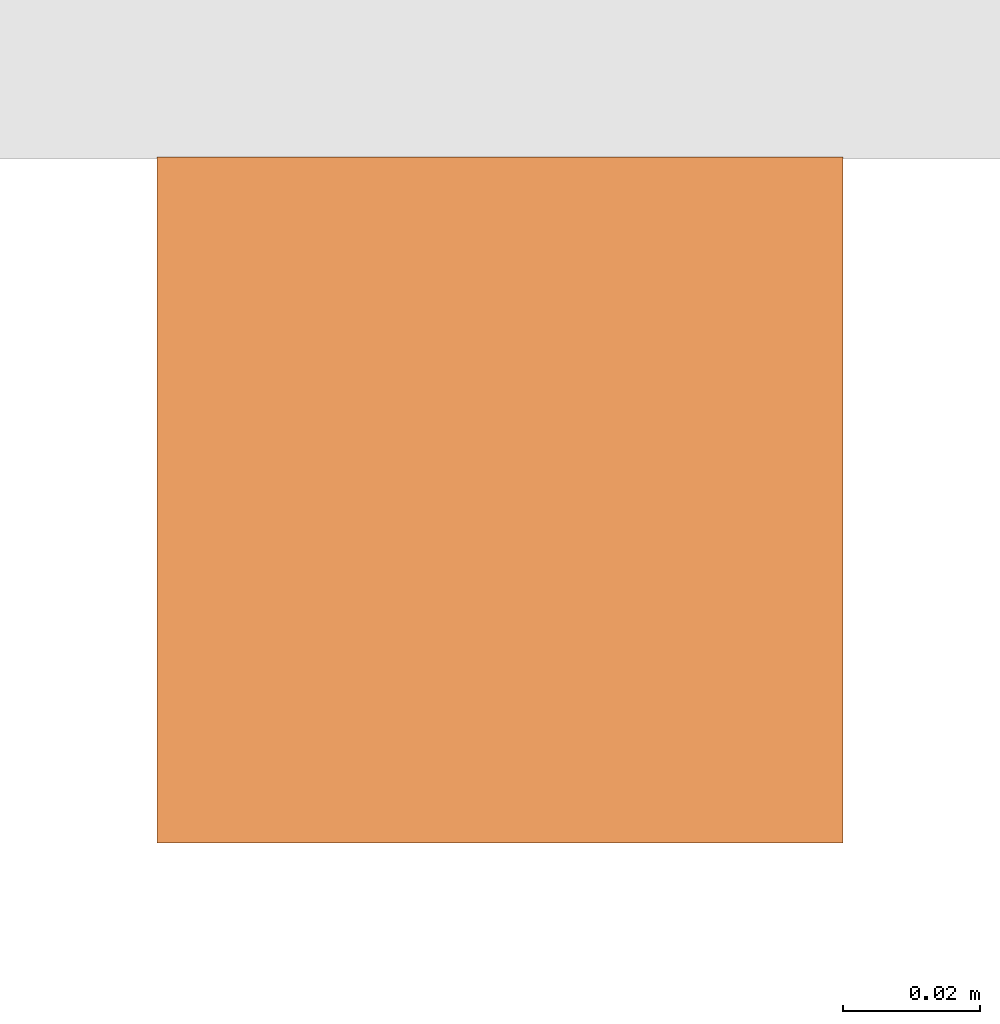
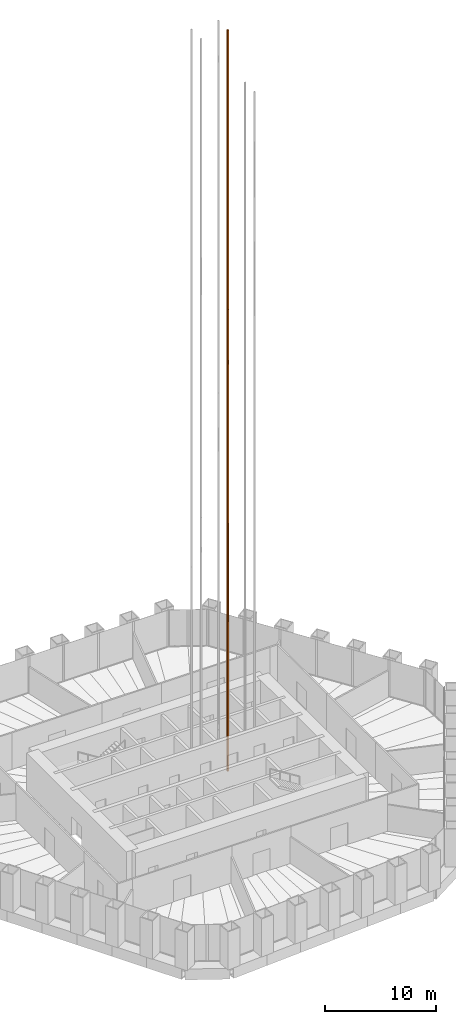
# One storey, part 16 of 20: 1 proxy.
"""IFC4 building model written with IfcOpenShell, lengths in metres."""

import ifcopenshell
import ifcopenshell.guid

model = None  # the IFC model being written
_history = None  # IfcOwnerHistory: only IFC2X3 demands one
_inside = {}  # id of a spatial element -> (the spatial element, [elements in it])
_under = {}  # id of a project, library or spatial element -> (it, [spatial elements below it])
_declared = {}  # id of a project -> (the project, [libraries it declares])
_typed = {}  # id of a type object -> (the type object, [elements of that type])
_made_of = {}  # id of a material, layer set ... -> (it, [elements and type objects made of it])


def new_model(schema):
    """Start an empty IFC model of exactly this schema.

    Asked for "IFC4X3", IfcOpenShell would pick the latest addendum, in which some entities
    have other attributes; the version numbers below select the first issue.
    IFC2X3 requires an IfcOwnerHistory on every rooted entity: one is made here for all.
    """
    global model, _history
    if schema == "IFC4X3":
        model = ifcopenshell.file(schema_version=(4, 3, 0, 0))
    else:
        model = ifcopenshell.file(schema=schema)
    _inside.clear()
    _under.clear()
    _declared.clear()
    _typed.clear()
    _made_of.clear()
    _history = None
    if model.schema == "IFC2X3":
        org = make("IfcOrganization", Name="unknown")
        user = make(
            "IfcPersonAndOrganization",
            ThePerson=make("IfcPerson", FamilyName="unknown"),
            TheOrganization=org,
        )
        app = make(
            "IfcApplication",
            ApplicationDeveloper=org,
            Version="unknown",
            ApplicationFullName="unknown",
            ApplicationIdentifier="unknown",
        )
        _history = make(
            "IfcOwnerHistory",
            OwningUser=user,
            OwningApplication=app,
            ChangeAction="ADDED",
            CreationDate=0,
        )
    return model


def make(cls, **values):
    """One entity of the class cls with the attributes given. An attribute that is None is left unset."""
    return model.create_entity(
        cls, **{name: value for name, value in values.items() if value is not None}
    )


def rooted(cls, **values):
    """An entity with a GlobalId (a new one), such as an element, a storey or a relation."""
    return make(cls, GlobalId=ifcopenshell.guid.new(), OwnerHistory=_history, **values)


def si_unit(unit_type, name, prefix=None):
    """IfcSIUnit, for example si_unit("LENGTHUNIT", "METRE", prefix="MILLI")."""
    return make("IfcSIUnit", UnitType=unit_type, Prefix=prefix, Name=name)


def assignment(units):
    """IfcUnitAssignment: the units of a project."""
    return None if units is None else make("IfcUnitAssignment", Units=units)


def point(xyz):
    """IfcCartesianPoint."""
    return None if xyz is None else make("IfcCartesianPoint", Coordinates=xyz)


def direction(xyz):
    """IfcDirection."""
    return None if xyz is None else make("IfcDirection", DirectionRatios=xyz)


def frame(location, z_axis=None, x_axis=None):
    """IfcAxis2Placement3D, a coordinate frame: its origin and axes. An axis left out is left unset."""
    return make(
        "IfcAxis2Placement3D",
        Location=point(location),
        Axis=direction(z_axis),
        RefDirection=direction(x_axis),
    )


def frame_2d(location, x_axis=None):
    """IfcAxis2Placement2D, a coordinate frame in the plane: its origin and x axis."""
    return make(
        "IfcAxis2Placement2D", Location=point(location), RefDirection=direction(x_axis)
    )


def origin():
    """The frame at (0, 0, 0) with its axes left unset."""
    return frame((0.0, 0.0, 0.0))


def origin_2d():
    """The frame at (0, 0) in the plane with its x axis left unset."""
    return frame_2d((0.0, 0.0))


def place(relative_to, where):
    """IfcLocalPlacement: puts the frame where relative to a parent placement (None: the world)."""
    return make(
        "IfcLocalPlacement", PlacementRelTo=relative_to, RelativePlacement=where
    )


def context(
    kind, dimensions, precision=None, world=None, true_north=None, identifier=None
):
    """IfcGeometricRepresentationContext, for example the 3D "Model" context."""
    return make(
        "IfcGeometricRepresentationContext",
        ContextIdentifier=identifier,
        ContextType=kind,
        CoordinateSpaceDimension=dimensions,
        Precision=precision,
        WorldCoordinateSystem=world,
        TrueNorth=true_north,
    )


def subcontext(parent, identifier, kind, view, scale=None):
    """IfcGeometricRepresentationSubContext, for example "Body" below "Model"."""
    return make(
        "IfcGeometricRepresentationSubContext",
        ContextIdentifier=identifier,
        ContextType=kind,
        ParentContext=parent,
        TargetScale=scale,
        TargetView=view,
    )


def project(units=None, contexts=None):
    """IfcProject with its units and contexts."""
    return rooted(
        "IfcProject",
        Name="project",
        RepresentationContexts=contexts,
        UnitsInContext=assignment(units),
    )


def spatial(cls, under=None, at=None, **own):
    """A site, building, storey or space (cls), placed at a placement, below another one or the project."""
    s = rooted(cls, ObjectPlacement=at, **own)
    if under is not None:
        _under.setdefault(under.id(), (under, []))[1].append(s)
    return s


def profile(cls, at=None, kind="AREA", **sizes):
    """A parametric profile (cls). Its sizes go by their IFC names, for example OverallWidth=200.0."""
    return make(cls, ProfileType=kind, Position=at, **sizes)


def rectangle(**sizes):
    """IfcRectangleProfileDef."""
    return profile("IfcRectangleProfileDef", **sizes)


def extrude(swept, where, along, depth):
    """IfcExtrudedAreaSolid: the profile swept, set in the frame where, extruded along a direction by depth."""
    return make(
        "IfcExtrudedAreaSolid",
        SweptArea=swept,
        Position=where,
        ExtrudedDirection=direction(along),
        Depth=depth,
    )


def shape(context_of_items, identifier, shape_type, items):
    """IfcShapeRepresentation: the items that make up one representation, for example the "Body"."""
    return make(
        "IfcShapeRepresentation",
        ContextOfItems=context_of_items,
        RepresentationIdentifier=identifier,
        RepresentationType=shape_type,
        Items=items,
    )


def material(Name=None, Category=None):
    """IfcMaterial."""
    return make("IfcMaterial", Name=Name, Category=Category)


def made_of(thing, what):
    """Note that an element or type object is made of a material, layer set ...; save() writes the relation."""
    if what is not None:
        _made_of.setdefault(what.id(), (what, []))[1].append(thing)
    return thing


def type_object(cls, material=None, **own):
    """A type object (cls), such as IfcWallType, which elements share."""
    return made_of(rooted(cls, **own), material)


def element(
    cls,
    number,
    at=None,
    inside=None,
    cuts=None,
    type_object=None,
    material=None,
    context=None,
    identifier="Body",
    shape_type=None,
    held_by="IfcProductDefinitionShape",
    body=None,
    shapes=None,
    **own,
):
    """One element of the class cls, such as IfcWall. Its Tag is "e" and its number.

    at: its placement. inside: the storey or other place that contains it. cuts: it is an
    opening in that element (IfcRelVoidsElement). A single representation is given by context,
    identifier, shape_type and body (its items); several are given by shapes. held_by: the class
    of the entity that holds the representations. save() writes the other relations.
    """
    e = rooted(cls, Tag="e%d" % number, ObjectPlacement=at, **own)
    if body is not None:
        shapes = [shape(context, identifier, shape_type, body)]
    if shapes is not None:
        e.Representation = make(held_by, Representations=shapes)
    if inside is not None:
        _inside.setdefault(inside.id(), (inside, []))[1].append(e)
    if cuts is not None:
        rooted(
            "IfcRelVoidsElement", RelatingBuildingElement=cuts, RelatedOpeningElement=e
        )
    if type_object is not None:
        _typed.setdefault(type_object.id(), (type_object, []))[1].append(e)
    return made_of(e, material)


def aggregate(whole, parts):
    """IfcRelAggregates: a whole, such as a stair, and the parts it consists of."""
    return rooted("IfcRelAggregates", RelatingObject=whole, RelatedObjects=parts)


def save(model, path):
    """Write the relations noted so far, then the file.

    IfcRelAggregates (storeys below a building ...), IfcRelContainedInSpatialStructure (elements
    in a storey), IfcRelDefinesByType, IfcRelAssociatesMaterial and IfcRelDeclares: one each for
    every whole, place, type object, material and project.
    """
    for whole, parts in _under.values():
        aggregate(whole, parts)
    for where, things in _inside.values():
        rooted(
            "IfcRelContainedInSpatialStructure",
            RelatedElements=things,
            RelatingStructure=where,
        )
    for kind, things in _typed.values():
        rooted("IfcRelDefinesByType", RelatedObjects=things, RelatingType=kind)
    for what, things in _made_of.values():
        rooted("IfcRelAssociatesMaterial", RelatedObjects=things, RelatingMaterial=what)
    for by, libraries in _declared.values():
        rooted("IfcRelDeclares", RelatingContext=by, RelatedDefinitions=libraries)
    model.write(path)


model = new_model("IFC4")

# Units and contexts
model_context = context("Model", 3, precision=1e-05, world=origin(), true_north=direction((0.0, 1.0)))
body_context = subcontext(model_context, "Body", "Model", "MODEL_VIEW")
ifc_project = project(units=[si_unit("LENGTHUNIT", "METRE"), si_unit("AREAUNIT", "SQUARE_METRE"), si_unit("VOLUMEUNIT", "CUBIC_METRE"), si_unit("PLANEANGLEUNIT", "RADIAN"), si_unit("MASSUNIT", "GRAM", prefix="KILO")], contexts=[model_context])

# Site, building, storey
site_placement = place(None, origin())
site = spatial("IfcSite", under=ifc_project, at=site_placement, CompositionType="ELEMENT")
building_placement = place(site_placement, origin())
building = spatial("IfcBuilding", under=site, at=building_placement, Name="Qingtian Harvest Tower", CompositionType="ELEMENT")
storey_placement = place(building_placement, frame((0.0, 0.0, 180.39990234375)))
storey = spatial("IfcBuildingStorey", under=building, at=storey_placement, Name="L38", CompositionType="ELEMENT", Elevation=180.39990234375)

# Proxy
ifc_material = material(Name="Steel SN490B", Category="steel")
building_element_proxy_type = type_object("IfcBuildingElementProxyType", Name="Lift guide rail LR1", PredefinedType="NOTDEFINED", material=ifc_material)
proxy_placement = place(storey_placement, frame((4.699951171875, 2.675048828125, 0.0), z_axis=(0.0, 0.0, 1.0), x_axis=(1.0, 0.0, 0.0)))
element("IfcBuildingElementProxy", 1, at=proxy_placement, inside=storey, type_object=building_element_proxy_type, Name="Lift PLC2 guide rail 1", PredefinedType="NOTDEFINED", context=body_context, shape_type="SweptSolid", body=[
    extrude(rectangle(XDim=0.10009765625, YDim=0.10009765625, at=origin_2d()), origin(), (0.0, 0.0, 1.0), 81.60009765625),
])

save(model, "model.ifc")
